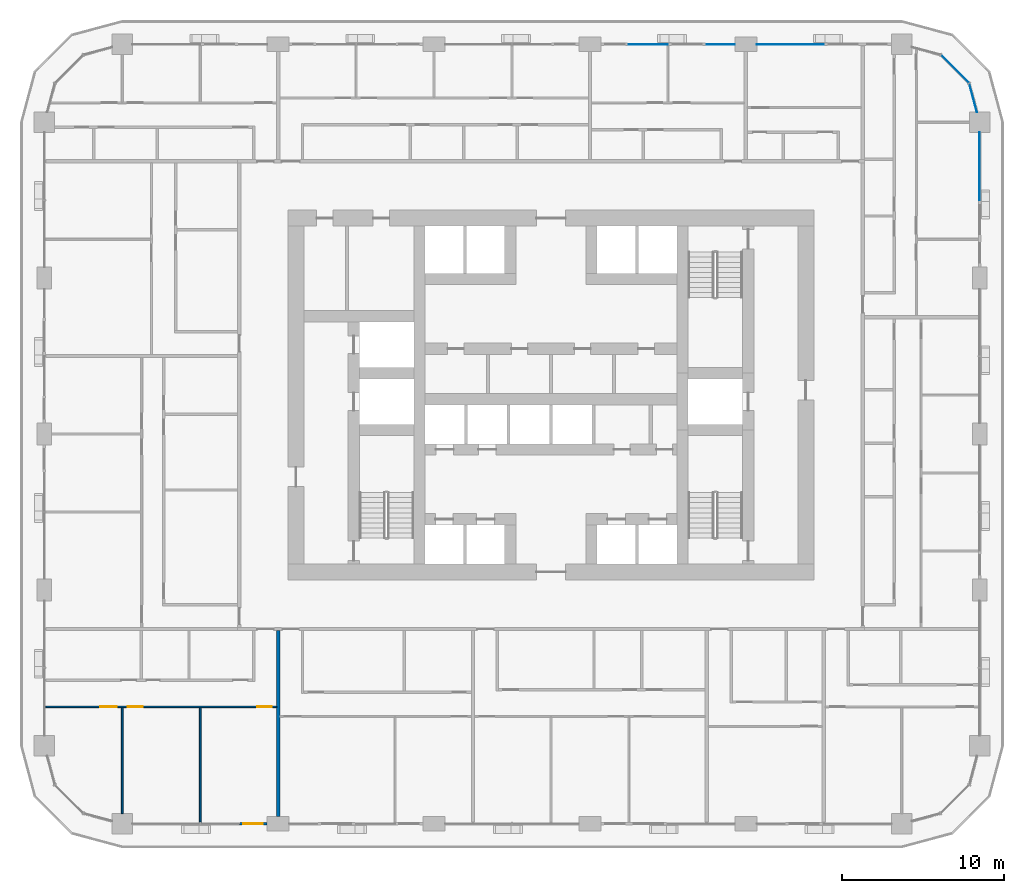
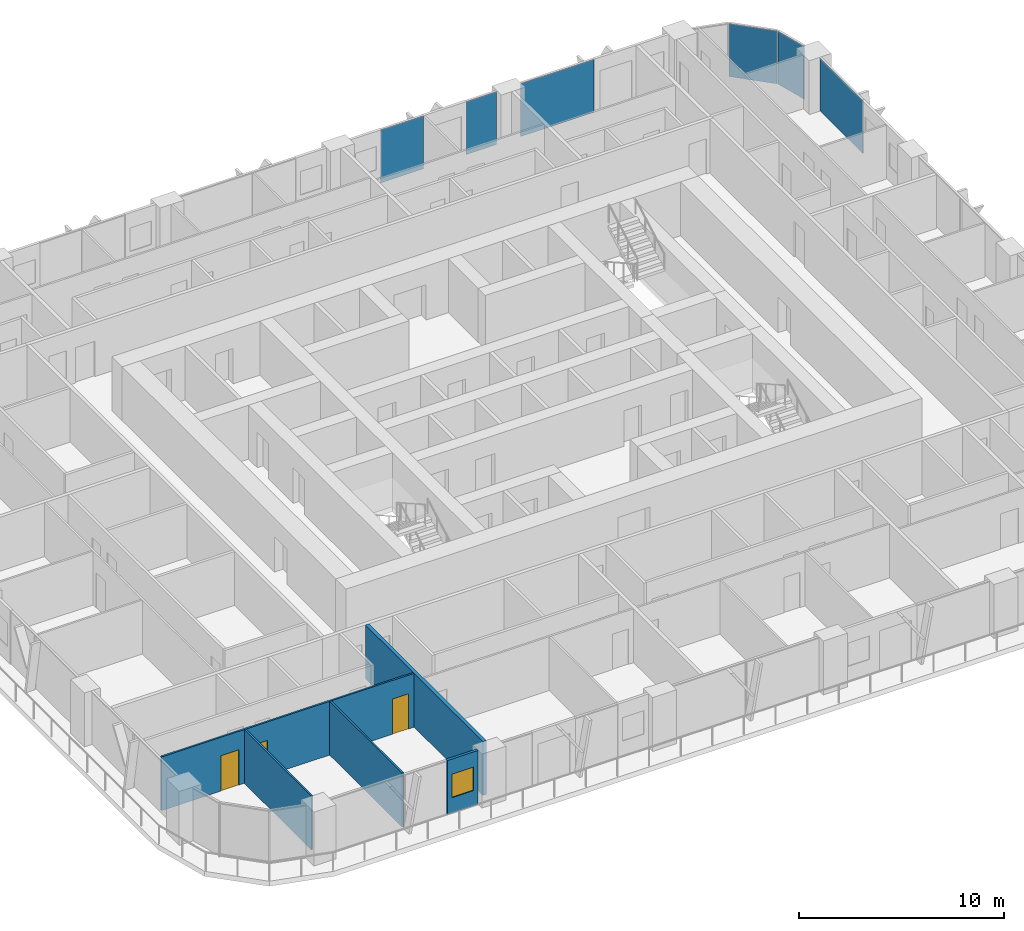
# One storey, part 8 of 21: 6 plates, 5 walls, 3 doors, 1 window, 4 openings, 4 elements without a shape of their own.
"""IFC4 building model written with IfcOpenShell, lengths in metres."""

import ifcopenshell
import ifcopenshell.guid

model = None  # the IFC model being written
_history = None  # IfcOwnerHistory: only IFC2X3 demands one
_inside = {}  # id of a spatial element -> (the spatial element, [elements in it])
_under = {}  # id of a project, library or spatial element -> (it, [spatial elements below it])
_declared = {}  # id of a project -> (the project, [libraries it declares])
_typed = {}  # id of a type object -> (the type object, [elements of that type])
_made_of = {}  # id of a material, layer set ... -> (it, [elements and type objects made of it])


def new_model(schema):
    """Start an empty IFC model of exactly this schema.

    Asked for "IFC4X3", IfcOpenShell would pick the latest addendum, in which some entities
    have other attributes; the version numbers below select the first issue.
    IFC2X3 requires an IfcOwnerHistory on every rooted entity: one is made here for all.
    """
    global model, _history
    if schema == "IFC4X3":
        model = ifcopenshell.file(schema_version=(4, 3, 0, 0))
    else:
        model = ifcopenshell.file(schema=schema)
    _inside.clear()
    _under.clear()
    _declared.clear()
    _typed.clear()
    _made_of.clear()
    _history = None
    if model.schema == "IFC2X3":
        org = make("IfcOrganization", Name="unknown")
        user = make(
            "IfcPersonAndOrganization",
            ThePerson=make("IfcPerson", FamilyName="unknown"),
            TheOrganization=org,
        )
        app = make(
            "IfcApplication",
            ApplicationDeveloper=org,
            Version="unknown",
            ApplicationFullName="unknown",
            ApplicationIdentifier="unknown",
        )
        _history = make(
            "IfcOwnerHistory",
            OwningUser=user,
            OwningApplication=app,
            ChangeAction="ADDED",
            CreationDate=0,
        )
    return model


def make(cls, **values):
    """One entity of the class cls with the attributes given. An attribute that is None is left unset."""
    return model.create_entity(
        cls, **{name: value for name, value in values.items() if value is not None}
    )


def rooted(cls, **values):
    """An entity with a GlobalId (a new one), such as an element, a storey or a relation."""
    return make(cls, GlobalId=ifcopenshell.guid.new(), OwnerHistory=_history, **values)


def si_unit(unit_type, name, prefix=None):
    """IfcSIUnit, for example si_unit("LENGTHUNIT", "METRE", prefix="MILLI")."""
    return make("IfcSIUnit", UnitType=unit_type, Prefix=prefix, Name=name)


def assignment(units):
    """IfcUnitAssignment: the units of a project."""
    return None if units is None else make("IfcUnitAssignment", Units=units)


def point(xyz):
    """IfcCartesianPoint."""
    return None if xyz is None else make("IfcCartesianPoint", Coordinates=xyz)


def direction(xyz):
    """IfcDirection."""
    return None if xyz is None else make("IfcDirection", DirectionRatios=xyz)


def frame(location, z_axis=None, x_axis=None):
    """IfcAxis2Placement3D, a coordinate frame: its origin and axes. An axis left out is left unset."""
    return make(
        "IfcAxis2Placement3D",
        Location=point(location),
        Axis=direction(z_axis),
        RefDirection=direction(x_axis),
    )


def frame_2d(location, x_axis=None):
    """IfcAxis2Placement2D, a coordinate frame in the plane: its origin and x axis."""
    return make(
        "IfcAxis2Placement2D", Location=point(location), RefDirection=direction(x_axis)
    )


def origin():
    """The frame at (0, 0, 0) with its axes left unset."""
    return frame((0.0, 0.0, 0.0))


def origin_2d():
    """The frame at (0, 0) in the plane with its x axis left unset."""
    return frame_2d((0.0, 0.0))


def place(relative_to, where):
    """IfcLocalPlacement: puts the frame where relative to a parent placement (None: the world)."""
    return make(
        "IfcLocalPlacement", PlacementRelTo=relative_to, RelativePlacement=where
    )


def context(
    kind, dimensions, precision=None, world=None, true_north=None, identifier=None
):
    """IfcGeometricRepresentationContext, for example the 3D "Model" context."""
    return make(
        "IfcGeometricRepresentationContext",
        ContextIdentifier=identifier,
        ContextType=kind,
        CoordinateSpaceDimension=dimensions,
        Precision=precision,
        WorldCoordinateSystem=world,
        TrueNorth=true_north,
    )


def subcontext(parent, identifier, kind, view, scale=None):
    """IfcGeometricRepresentationSubContext, for example "Body" below "Model"."""
    return make(
        "IfcGeometricRepresentationSubContext",
        ContextIdentifier=identifier,
        ContextType=kind,
        ParentContext=parent,
        TargetScale=scale,
        TargetView=view,
    )


def project(units=None, contexts=None):
    """IfcProject with its units and contexts."""
    return rooted(
        "IfcProject",
        Name="project",
        RepresentationContexts=contexts,
        UnitsInContext=assignment(units),
    )


def spatial(cls, under=None, at=None, **own):
    """A site, building, storey or space (cls), placed at a placement, below another one or the project."""
    s = rooted(cls, ObjectPlacement=at, **own)
    if under is not None:
        _under.setdefault(under.id(), (under, []))[1].append(s)
    return s


def profile(cls, at=None, kind="AREA", **sizes):
    """A parametric profile (cls). Its sizes go by their IFC names, for example OverallWidth=200.0."""
    return make(cls, ProfileType=kind, Position=at, **sizes)


def rectangle(**sizes):
    """IfcRectangleProfileDef."""
    return profile("IfcRectangleProfileDef", **sizes)


def extrude(swept, where, along, depth):
    """IfcExtrudedAreaSolid: the profile swept, set in the frame where, extruded along a direction by depth."""
    return make(
        "IfcExtrudedAreaSolid",
        SweptArea=swept,
        Position=where,
        ExtrudedDirection=direction(along),
        Depth=depth,
    )


def shape(context_of_items, identifier, shape_type, items):
    """IfcShapeRepresentation: the items that make up one representation, for example the "Body"."""
    return make(
        "IfcShapeRepresentation",
        ContextOfItems=context_of_items,
        RepresentationIdentifier=identifier,
        RepresentationType=shape_type,
        Items=items,
    )


def material(Name=None, Category=None):
    """IfcMaterial."""
    return make("IfcMaterial", Name=Name, Category=Category)


def layer(
    of_material, thickness, ventilated=None, Name=None, Category=None, Priority=None
):
    """IfcMaterialLayer: one layer of a wall or slab, of a material (None: an air gap)."""
    return make(
        "IfcMaterialLayer",
        Material=of_material,
        LayerThickness=thickness,
        IsVentilated=ventilated,
        Name=Name,
        Category=Category,
        Priority=Priority,
    )


def layer_set(layers, Name=None):
    """IfcMaterialLayerSet."""
    return make("IfcMaterialLayerSet", MaterialLayers=layers, LayerSetName=Name)


def made_of(thing, what):
    """Note that an element or type object is made of a material, layer set ...; save() writes the relation."""
    if what is not None:
        _made_of.setdefault(what.id(), (what, []))[1].append(thing)
    return thing


def type_object(cls, material=None, **own):
    """A type object (cls), such as IfcWallType, which elements share."""
    return made_of(rooted(cls, **own), material)


def element(
    cls,
    number,
    at=None,
    inside=None,
    cuts=None,
    type_object=None,
    material=None,
    context=None,
    identifier="Body",
    shape_type=None,
    held_by="IfcProductDefinitionShape",
    body=None,
    shapes=None,
    **own,
):
    """One element of the class cls, such as IfcWall. Its Tag is "e" and its number.

    at: its placement. inside: the storey or other place that contains it. cuts: it is an
    opening in that element (IfcRelVoidsElement). A single representation is given by context,
    identifier, shape_type and body (its items); several are given by shapes. held_by: the class
    of the entity that holds the representations. save() writes the other relations.
    """
    e = rooted(cls, Tag="e%d" % number, ObjectPlacement=at, **own)
    if body is not None:
        shapes = [shape(context, identifier, shape_type, body)]
    if shapes is not None:
        e.Representation = make(held_by, Representations=shapes)
    if inside is not None:
        _inside.setdefault(inside.id(), (inside, []))[1].append(e)
    if cuts is not None:
        rooted(
            "IfcRelVoidsElement", RelatingBuildingElement=cuts, RelatedOpeningElement=e
        )
    if type_object is not None:
        _typed.setdefault(type_object.id(), (type_object, []))[1].append(e)
    return made_of(e, material)


def fill(opening, filler):
    """IfcRelFillsElement: the door or window that sits in an opening."""
    return rooted(
        "IfcRelFillsElement",
        RelatingOpeningElement=opening,
        RelatedBuildingElement=filler,
    )


def aggregate(whole, parts):
    """IfcRelAggregates: a whole, such as a stair, and the parts it consists of."""
    return rooted("IfcRelAggregates", RelatingObject=whole, RelatedObjects=parts)


def save(model, path):
    """Write the relations noted so far, then the file.

    IfcRelAggregates (storeys below a building ...), IfcRelContainedInSpatialStructure (elements
    in a storey), IfcRelDefinesByType, IfcRelAssociatesMaterial and IfcRelDeclares: one each for
    every whole, place, type object, material and project.
    """
    for whole, parts in _under.values():
        aggregate(whole, parts)
    for where, things in _inside.values():
        rooted(
            "IfcRelContainedInSpatialStructure",
            RelatedElements=things,
            RelatingStructure=where,
        )
    for kind, things in _typed.values():
        rooted("IfcRelDefinesByType", RelatedObjects=things, RelatingType=kind)
    for what, things in _made_of.values():
        rooted("IfcRelAssociatesMaterial", RelatedObjects=things, RelatingMaterial=what)
    for by, libraries in _declared.values():
        rooted("IfcRelDeclares", RelatingContext=by, RelatedDefinitions=libraries)
    model.write(path)


model = new_model("IFC4")

# Units and contexts
model_context = context("Model", 3, precision=1e-05, world=origin(), true_north=direction((0.0, 1.0)))
body_context = subcontext(model_context, "Body", "Model", "MODEL_VIEW")
ifc_project = project(units=[si_unit("LENGTHUNIT", "METRE"), si_unit("AREAUNIT", "SQUARE_METRE"), si_unit("VOLUMEUNIT", "CUBIC_METRE"), si_unit("PLANEANGLEUNIT", "RADIAN"), si_unit("MASSUNIT", "GRAM", prefix="KILO")], contexts=[model_context])

# Site, building, storey
site_placement = place(None, origin())
site = spatial("IfcSite", under=ifc_project, at=site_placement, CompositionType="ELEMENT")
building_placement = place(site_placement, origin())
building = spatial("IfcBuilding", under=site, at=building_placement, Name="Madar Terraces", CompositionType="ELEMENT")
storey_placement = place(building_placement, frame((0.0, 0.0, 36.39990234375)))
storey = spatial("IfcBuildingStorey", under=building, at=storey_placement, Name="L08", CompositionType="ELEMENT", Elevation=36.39990234375)

# Curtain wall, plate
ifc_material_1 = material(Name="Glass, ceramic frit dark grey, with black aluminium frame", Category="aluminium")
ifc_layer_1 = layer(ifc_material_1, 0.199951171875)
ifc_layer_set_1 = layer_set([ifc_layer_1], Name="Facade curtain wall, fritted glass")
curtain_wall_type = type_object("IfcCurtainWallType", Name="Facade curtain wall, fritted glass", PredefinedType="NOTDEFINED", material=ifc_layer_set_1)
curtain_wall_1_placement = place(storey_placement, origin())
curtain_wall_1 = element("IfcCurtainWall", 1, at=curtain_wall_1_placement, inside=storey, type_object=curtain_wall_type, Name="Outer skin curtain wall east bay 4", PredefinedType="NOTDEFINED")
ifc_material_2 = material(Name="Glass, ceramic frit dark grey", Category="glass")
ifc_layer_2 = layer(ifc_material_2, 0.028076171875)
ifc_layer_set_2 = layer_set([ifc_layer_2], Name="Facade glass panel 28")
plate_type = type_object("IfcPlateType", Name="Facade glass panel 28", PredefinedType="CURTAIN_PANEL", material=ifc_layer_set_2)
plate_1_placement = place(storey_placement, frame((57.60009765625, 40.487548828125, 0.0), z_axis=(0.0, 0.0, 1.0), x_axis=(0.0, 1.0, 0.0)))
plate_1 = element("IfcPlate", 2, at=plate_1_placement, type_object=plate_type, Name="Panel 1", PredefinedType="CURTAIN_PANEL", context=body_context, shape_type="SweptSolid", body=[
    extrude(rectangle(XDim=4.175048828125, YDim=0.028076171875, at=origin_2d()), origin(), (0.0, 0.0, 1.0), 3.139892578125),
])
aggregate(curtain_wall_1, [plate_1])

curtain_wall_2_placement = place(storey_placement, origin())
curtain_wall_2 = element("IfcCurtainWall", 3, at=curtain_wall_2_placement, inside=storey, type_object=curtain_wall_type, Name="Outer skin curtain wall north bay 1", PredefinedType="NOTDEFINED")
plate_2_placement = place(storey_placement, frame((45.9375, 48.0, 0.0), z_axis=(0.0, 0.0, 1.0), x_axis=(-1.0, 0.0, 0.0)))
plate_2 = element("IfcPlate", 4, at=plate_2_placement, type_object=plate_type, Name="Panel 1", PredefinedType="CURTAIN_PANEL", context=body_context, shape_type="SweptSolid", body=[
    extrude(rectangle(XDim=4.125, YDim=0.028076171875, at=origin_2d()), origin(), (0.0, 0.0, 1.0), 3.139892578125),
])
aggregate(curtain_wall_2, [plate_2])

# Curtain wall, plates
curtain_wall_3_placement = place(storey_placement, origin())
curtain_wall_3 = element("IfcCurtainWall", 5, at=curtain_wall_3_placement, inside=storey, type_object=curtain_wall_type, Name="Outer skin curtain wall north bay 2", PredefinedType="NOTDEFINED")
plate_3_placement = place(storey_placement, frame((41.66259765625, 48.0, 0.0), z_axis=(0.0, 0.0, 1.0), x_axis=(-1.0, 0.0, 0.0)))
plate_3 = element("IfcPlate", 6, at=plate_3_placement, type_object=plate_type, Name="Panel 1", PredefinedType="CURTAIN_PANEL", context=body_context, shape_type="SweptSolid", body=[
    extrude(rectangle(XDim=1.72509765625, YDim=0.028076171875, at=origin_2d()), origin(), (0.0, 0.0, 1.0), 3.139892578125),
])
plate_4_placement = place(storey_placement, frame((37.199951171875, 48.0, 0.0), z_axis=(0.0, 0.0, 1.0), x_axis=(-1.0, 0.0, 0.0)))
plate_4 = element("IfcPlate", 7, at=plate_4_placement, type_object=plate_type, Name="Panel 2", PredefinedType="CURTAIN_PANEL", context=body_context, shape_type="SweptSolid", body=[
    extrude(rectangle(XDim=2.39990234375, YDim=0.028076171875, at=origin_2d()), origin(), (0.0, 0.0, 1.0), 3.139892578125),
])
aggregate(curtain_wall_3, [plate_3, plate_4])

curtain_wall_4_placement = place(storey_placement, origin())
curtain_wall_4 = element("IfcCurtainWall", 8, at=curtain_wall_4_placement, inside=storey, type_object=curtain_wall_type, Name="Outer skin curtain wall north-east corner", PredefinedType="NOTDEFINED")
plate_5_placement = place(storey_placement, frame((57.19873046875, 44.697998046875, 0.0), z_axis=(0.0, 0.0, 1.0), x_axis=(-0.258819021888, 0.965925832509, 0.0)))
plate_5 = element("IfcPlate", 9, at=plate_5_placement, type_object=plate_type, Name="Panel 1", PredefinedType="CURTAIN_PANEL", context=body_context, shape_type="SweptSolid", body=[
    extrude(rectangle(XDim=1.8076171875, YDim=0.028076171875, at=origin_2d()), origin(), (0.0, 0.0, 1.0), 3.139892578125),
])
plate_6_placement = place(storey_placement, frame((56.078369140625, 46.478515625, 0.0), z_axis=(0.0, 0.0, 1.0), x_axis=(-0.707106781187, 0.707106781187, 0.0)))
plate_6 = element("IfcPlate", 10, at=plate_6_placement, type_object=plate_type, Name="Panel 2", PredefinedType="CURTAIN_PANEL", context=body_context, shape_type="SweptSolid", body=[
    extrude(rectangle(XDim=2.424560546875, YDim=0.028076171875, at=origin_2d()), origin(), (0.0, 0.0, 1.0), 3.139892578125),
])
aggregate(curtain_wall_4, [plate_5, plate_6])

# Wall, opening, window
ifc_material_3 = material(Name="Aluminium composite panel, black, over insulated backing", Category="aluminium")
ifc_layer_3 = layer(ifc_material_3, 0.14990234375)
ifc_layer_set_3 = layer_set([ifc_layer_3], Name="Facade bay panel 150")
wall_type_1 = type_object("IfcWallType", Name="Facade bay panel 150", PredefinedType="SOLIDWALL", material=ifc_layer_set_3)
wall_1_placement = place(storey_placement, frame((12.0, 0.0, 0.0), z_axis=(0.0, 0.0, 1.0), x_axis=(1.0, 0.0, 0.0)))
wall_1 = element("IfcWall", 11, at=wall_1_placement, inside=storey, type_object=wall_type_1, Name="Facade bay panel", PredefinedType="SOLIDWALL", context=body_context, shape_type="SweptSolid", body=[
    extrude(rectangle(XDim=1.72509765625, YDim=0.14990234375, at=frame_2d((0.862548828125, 0.0))), origin(), (0.0, 0.0, 1.0), 3.2001953125),
])
opening_1_placement = place(wall_1_placement, frame((0.262451171875, 0.0, 0.89990234375)))
opening_1 = element("IfcOpeningElement", 12, at=opening_1_placement, cuts=wall_1, Name="Opening W1", PredefinedType="OPENING", context=body_context, shape_type="SweptSolid", body=[
    extrude(rectangle(XDim=1.199951171875, YDim=1.39990234375, at=frame_2d((0.60009765625, 0.699951171875))), frame((0.0, 0.0849609375, 0.0), z_axis=(0.0, -1.0, 0.0), x_axis=(1.0, 0.0, 0.0)), (0.0, 0.0, 1.0), 0.169921875),
])
ifc_material_4 = material(Name="Glass, clear, with black aluminium frame", Category="aluminium")
window_type = type_object("IfcWindowType", Name="Vent window 1200 x 1400", PartitioningType="SINGLE_PANEL", PredefinedType="WINDOW", material=ifc_material_4)
window_placement = place(opening_1_placement, origin())
window = element("IfcWindow", 13, at=window_placement, inside=storey, type_object=window_type, Name="Operable vent window", OverallHeight=1.39990234375, OverallWidth=1.199951171875, PartitioningType="SINGLE_PANEL", PredefinedType="WINDOW", context=body_context, shape_type="SweptSolid", body=[
    extrude(rectangle(XDim=1.199951171875, YDim=1.39990234375, at=frame_2d((0.60009765625, 0.699951171875))), frame((0.0, 0.030029296875, 0.0), z_axis=(0.0, -1.0, 0.0), x_axis=(1.0, 0.0, 0.0)), (0.0, 0.0, 1.0), 0.06005859375),
])
fill(opening_1, window)

# Walls
ifc_material_5 = material(Name="Gypsum board on steel studs", Category="steel")
ifc_layer_4 = layer(ifc_material_5, 0.10009765625)
ifc_layer_set_4 = layer_set([ifc_layer_4], Name="Flat partition 100")
wall_type_2 = type_object("IfcWallType", Name="Flat partition 100", PredefinedType="PARTITIONING", material=ifc_layer_set_4)
wall_2_placement = place(storey_placement, frame((9.60009765625, 7.14990234375, 0.0), z_axis=(0.0, 0.0, 1.0), x_axis=(0.0, -1.0, 0.0)))
element("IfcWall", 14, at=wall_2_placement, inside=storey, type_object=wall_type_2, Name="Flat partition 100", PredefinedType="PARTITIONING", context=body_context, shape_type="SweptSolid", body=[
    extrude(rectangle(XDim=7.0498046875, YDim=0.10009765625, at=frame_2d((3.52490234375, 0.0))), origin(), (0.0, 0.0, 1.0), 3.2001953125),
])
wall_3_placement = place(storey_placement, frame((4.800048828125, 7.14990234375, 0.0), z_axis=(0.0, 0.0, 1.0), x_axis=(0.0, -1.0, 0.0)))
element("IfcWall", 15, at=wall_3_placement, inside=storey, type_object=wall_type_2, Name="Flat partition 100", PredefinedType="PARTITIONING", context=body_context, shape_type="SweptSolid", body=[
    extrude(rectangle(XDim=6.52490234375, YDim=0.10009765625, at=frame_2d((3.262451171875, 0.0))), origin(), (0.0, 0.0, 1.0), 3.2001953125),
])

# Wall, openings, doors
wall_4_placement = place(storey_placement, frame((14.300048828125, 7.199951171875, 0.0), z_axis=(0.0, 0.0, 1.0), x_axis=(-1.0, 0.0, 0.0)))
wall_4 = element("IfcWall", 16, at=wall_4_placement, inside=storey, type_object=wall_type_2, Name="Flat partition 100", PredefinedType="PARTITIONING", context=body_context, shape_type="SweptSolid", body=[
    extrude(rectangle(XDim=14.199951171875, YDim=0.10009765625, at=frame_2d((7.10009765625, 0.0))), origin(), (0.0, 0.0, 1.0), 3.2001953125),
])
opening_2_placement = place(wall_4_placement, frame((0.300048828125, 0.0, 0.0)))
opening_2 = element("IfcOpeningElement", 17, at=opening_2_placement, cuts=wall_4, Name="Opening D2", PredefinedType="OPENING", context=body_context, shape_type="SweptSolid", body=[
    extrude(rectangle(XDim=0.89990234375, YDim=2.10009765625, at=frame_2d((0.449951171875, 1.050048828125))), frame((0.0, 0.06005859375, 0.0), z_axis=(0.0, -1.0, 0.0), x_axis=(1.0, 0.0, 0.0)), (0.0, 0.0, 1.0), 0.1201171875),
])
opening_3_placement = place(wall_4_placement, frame((8.25, 0.0, 0.0)))
opening_3 = element("IfcOpeningElement", 18, at=opening_3_placement, cuts=wall_4, Name="Opening D2", PredefinedType="OPENING", context=body_context, shape_type="SweptSolid", body=[
    extrude(rectangle(XDim=0.89990234375, YDim=2.10009765625, at=frame_2d((0.449951171875, 1.050048828125))), frame((0.0, 0.06005859375, 0.0), z_axis=(0.0, -1.0, 0.0), x_axis=(1.0, 0.0, 0.0)), (0.0, 0.0, 1.0), 0.1201171875),
])
opening_4_placement = place(wall_4_placement, frame((9.85009765625, 0.0, 0.0)))
opening_4 = element("IfcOpeningElement", 19, at=opening_4_placement, cuts=wall_4, Name="Opening D3", PredefinedType="OPENING", context=body_context, shape_type="SweptSolid", body=[
    extrude(rectangle(XDim=1.0, YDim=2.10009765625, at=frame_2d((0.5, 1.050048828125))), frame((0.0, 0.06005859375, 0.0), z_axis=(0.0, -1.0, 0.0), x_axis=(1.0, 0.0, 0.0)), (0.0, 0.0, 1.0), 0.1201171875),
])
ifc_material_6 = material(Name="Timber door leaf", Category="wood")
door_type_1 = type_object("IfcDoorType", Name="Flat living room door 1000", OperationType="NOTDEFINED", PredefinedType="DOOR", material=ifc_material_6)
door_1_placement = place(opening_4_placement, origin())
door_1 = element("IfcDoor", 20, at=door_1_placement, inside=storey, type_object=door_type_1, Name="Flat living room door 1000", OperationType="SINGLE_SWING_LEFT", OverallHeight=2.10009765625, OverallWidth=1.0, PredefinedType="DOOR", context=body_context, shape_type="SweptSolid", body=[
    extrude(rectangle(XDim=1.0, YDim=2.10009765625, at=frame_2d((0.5, 1.050048828125))), frame((0.0, 0.02490234375, 0.0), z_axis=(0.0, -1.0, 0.0), x_axis=(1.0, 0.0, 0.0)), (0.0, 0.0, 1.0), 0.050048828125),
])
fill(opening_4, door_1)
ifc_material_7 = material(Name="Timber door leaf", Category="wood")
door_type_2 = type_object("IfcDoorType", Name="Flat room door 900", OperationType="NOTDEFINED", PredefinedType="DOOR", material=ifc_material_7)
door_2_placement = place(opening_2_placement, origin())
door_2 = element("IfcDoor", 21, at=door_2_placement, inside=storey, type_object=door_type_2, Name="Flat room door 900", OperationType="SINGLE_SWING_LEFT", OverallHeight=2.10009765625, OverallWidth=0.89990234375, PredefinedType="DOOR", context=body_context, shape_type="SweptSolid", body=[
    extrude(rectangle(XDim=0.89990234375, YDim=2.10009765625, at=frame_2d((0.449951171875, 1.050048828125))), frame((0.0, 0.02490234375, 0.0), z_axis=(0.0, -1.0, 0.0), x_axis=(1.0, 0.0, 0.0)), (0.0, 0.0, 1.0), 0.050048828125),
])
fill(opening_2, door_2)
door_3_placement = place(opening_3_placement, origin())
door_3 = element("IfcDoor", 22, at=door_3_placement, inside=storey, type_object=door_type_2, Name="Flat room door 900", OperationType="SINGLE_SWING_RIGHT", OverallHeight=2.10009765625, OverallWidth=0.89990234375, PredefinedType="DOOR", context=body_context, shape_type="SweptSolid", body=[
    extrude(rectangle(XDim=0.89990234375, YDim=2.10009765625, at=frame_2d((0.449951171875, 1.050048828125))), frame((0.0, 0.02490234375, 0.0), z_axis=(0.0, -1.0, 0.0), x_axis=(1.0, 0.0, 0.0)), (0.0, 0.0, 1.0), 0.050048828125),
])
fill(opening_3, door_3)

# Wall
ifc_material_8 = material(Name="Lightweight blockwork", Category="masonry")
ifc_layer_5 = layer(ifc_material_8, 0.199951171875)
ifc_layer_set_5 = layer_set([ifc_layer_5], Name="Flat party and entrance wall 200")
wall_type_3 = type_object("IfcWallType", Name="Flat party and entrance wall 200", PredefinedType="PARTITIONING", material=ifc_layer_set_5)
wall_5_placement = place(storey_placement, frame((14.39990234375, 11.89990234375, 0.0), z_axis=(0.0, 0.0, 1.0), x_axis=(0.0, -1.0, 0.0)))
element("IfcWall", 23, at=wall_5_placement, inside=storey, type_object=wall_type_3, Name="Flat party and entrance wall 200", PredefinedType="PARTITIONING", context=body_context, shape_type="SweptSolid", body=[
    extrude(rectangle(XDim=11.449951171875, YDim=0.199951171875, at=frame_2d((5.72509765625, 0.0))), origin(), (0.0, 0.0, 1.0), 3.2001953125),
])

save(model, "model.ifc")
